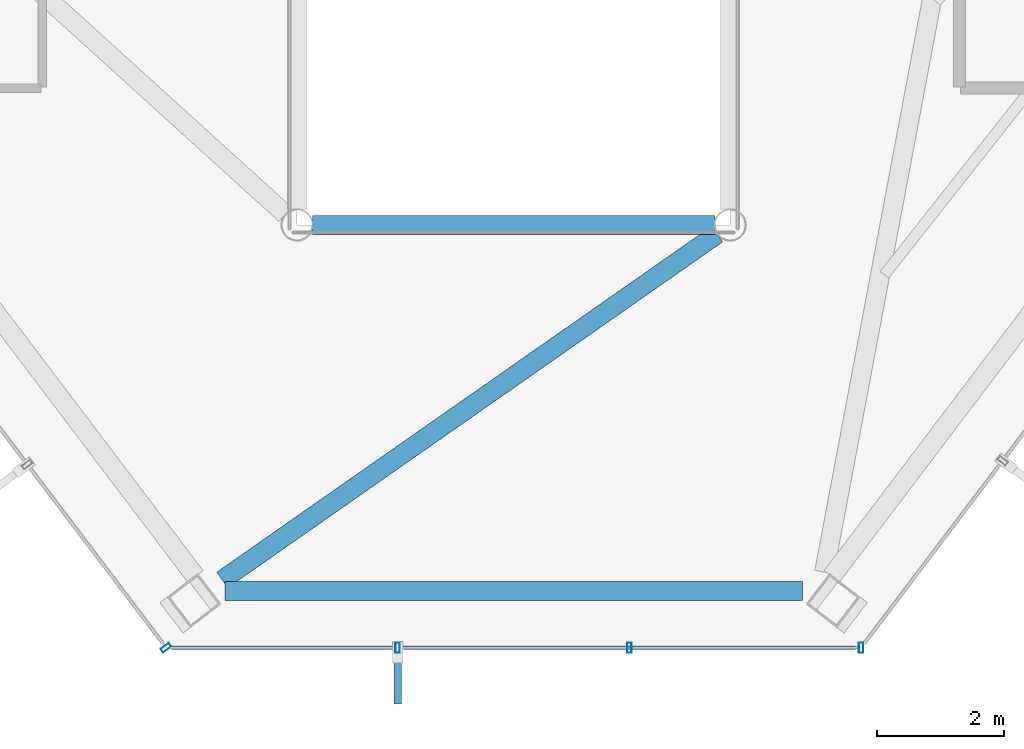
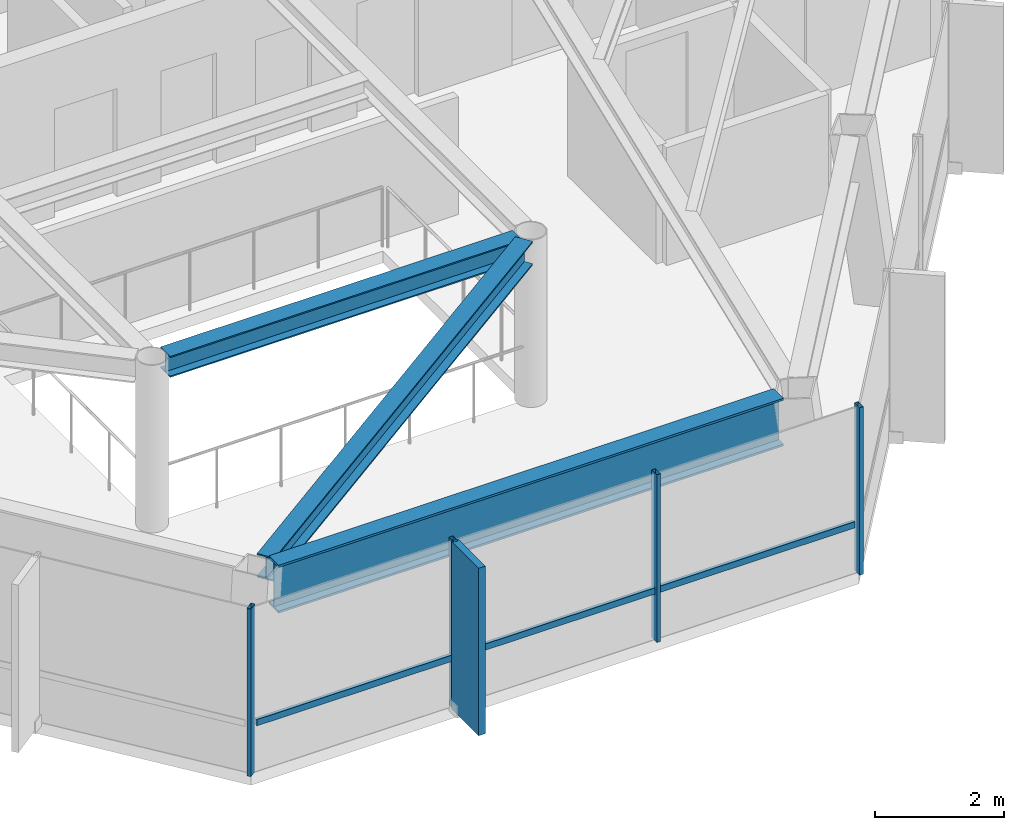
# One storey, part 5 of 25: 6 members, 3 beams, 2 elements without a shape of their own.
"""IFC4 building model written with IfcOpenShell, lengths in metres."""

from ifc_helpers import new_model, si_unit, direction, frame, origin, origin_2d, place, context, subcontext, project, spatial, rectangle, hollow_rectangle, i_section, extrude, material, layer, layer_set, material_profile, profile_set, type_object, element, aggregate, save


model = new_model("IFC4")

# Units and contexts
model_context = context("Model", 3, precision=1e-05, world=origin(), true_north=direction((0.0, 1.0)))
body_context = subcontext(model_context, "Body", "Model", "MODEL_VIEW")
ifc_project = project(units=[si_unit("LENGTHUNIT", "METRE"), si_unit("AREAUNIT", "SQUARE_METRE"), si_unit("VOLUMEUNIT", "CUBIC_METRE"), si_unit("PLANEANGLEUNIT", "RADIAN"), si_unit("MASSUNIT", "GRAM", prefix="KILO")], contexts=[model_context])

# Site, building, storey
site_placement = place(None, origin())
site = spatial("IfcSite", under=ifc_project, at=site_placement, CompositionType="ELEMENT")
building_placement = place(site_placement, origin())
building = spatial("IfcBuilding", under=site, at=building_placement, Name="Zarrinselat Tower", CompositionType="ELEMENT")
storey_placement = place(building_placement, frame((0.0, 0.0, 246.159912109375)))
storey = spatial("IfcBuildingStorey", under=building, at=storey_placement, Name="L62", CompositionType="ELEMENT", Elevation=246.159912109375)

# Beams
ifc_material_1 = material(Name="Steel S355J2", Category="steel")
ifc_material_profile_1 = material_profile(ifc_material_1, i_section(OverallWidth=0.300048828125, OverallDepth=0.39990234375, WebThickness=0.013427734375, FlangeThickness=0.02392578125, at=origin_2d()), Name="HEB 400")
ifc_profile_set_1 = profile_set([ifc_material_profile_1], Name="Steel S355J2")
beam_type_1 = type_object("IfcBeamType", Name="BM-HEB400", PredefinedType="BEAM", material=ifc_profile_set_1)
beam_1_placement = place(storey_placement, frame((35.239990234375, 25.199951171875, 2.97998046875), z_axis=(1.0, 0.0, 0.0), x_axis=(0.0, 1.0, 0.0)))
element("IfcBeam", 1, at=beam_1_placement, inside=storey, type_object=beam_type_1, Name="L62 Atrium Edge Beam S", PredefinedType="BEAM", context=body_context, shape_type="SweptSolid", body=[
    extrude(i_section(OverallWidth=0.300048828125, OverallDepth=0.39990234375, WebThickness=0.013427734375, FlangeThickness=0.02392578125, at=origin_2d()), origin(), (0.0, 0.0, 1.0), 6.320068359375),
])
ifc_material_2 = material(Name="Steel S355J2", Category="steel")
ifc_material_profile_2 = material_profile(ifc_material_2, i_section(OverallWidth=0.300048828125, OverallDepth=0.449951171875, WebThickness=0.013916015625, FlangeThickness=0.02587890625, at=origin_2d()), Name="HEB 450")
ifc_profile_set_2 = profile_set([ifc_material_profile_2], Name="Steel S355J2")
beam_type_2 = type_object("IfcBeamType", Name="BM-HEB450", PredefinedType="BEAM", material=ifc_profile_set_2)
beam_2_placement = place(storey_placement, frame((33.825439453125, 19.62548828125, 2.955078125), z_axis=(0.819600767211, 0.572935059486, 0.0), x_axis=(-0.572935059486, 0.819600767211, 0.0)))
element("IfcBeam", 2, at=beam_2_placement, inside=storey, type_object=beam_type_2, Name="L62 Radial Primary Girder RG10", PredefinedType="BEAM", context=body_context, shape_type="SweptSolid", body=[
    extrude(i_section(OverallWidth=0.300048828125, OverallDepth=0.449951171875, WebThickness=0.013916015625, FlangeThickness=0.02587890625, at=origin_2d()), origin(), (0.0, 0.0, 1.0), 9.47998046875),
])
ifc_material_3 = material(Name="Steel S460M", Category="steel")
ifc_material_profile_3 = material_profile(ifc_material_3, i_section(OverallWidth=0.302001953125, OverallDepth=0.909912109375, WebThickness=0.02099609375, FlangeThickness=0.0400390625, at=origin_2d()), Name="HEM 900")
ifc_profile_set_3 = profile_set([ifc_material_profile_3], Name="Steel S460M")
beam_type_3 = type_object("IfcBeamType", Name="BM-HEM900", PredefinedType="BEAM", material=ifc_profile_set_3)
beam_3_placement = place(storey_placement, frame((33.865966796875, 19.452392578125, 2.72509765625), z_axis=(1.0, 0.0, 0.0), x_axis=(0.0, 1.0, 0.0)))
element("IfcBeam", 3, at=beam_3_placement, inside=storey, type_object=beam_type_3, Name="L62 Perimeter Spandrel Girder SP10", PredefinedType="BEAM", context=body_context, shape_type="SweptSolid", body=[
    extrude(i_section(OverallWidth=0.302001953125, OverallDepth=0.909912109375, WebThickness=0.02099609375, FlangeThickness=0.0400390625, at=origin_2d()), origin(), (0.0, 0.0, 1.0), 9.068115234375),
])

# Curtain wall, member
ifc_material_4 = material(Name="Extruded Aluminium Alloy EN AW-6063 T6", Category="aluminium")
ifc_layer = layer(ifc_material_4, 0.169921875)
ifc_layer_set = layer_set([ifc_layer], Name="Extruded Aluminium Alloy EN AW-6063 T6")
curtain_wall_type = type_object("IfcCurtainWallType", Name="CWS-RES", PredefinedType="NOTDEFINED", material=ifc_layer_set)
curtain_wall_1_placement = place(storey_placement, origin())
curtain_wall_1 = element("IfcCurtainWall", 4, at=curtain_wall_1_placement, inside=storey, type_object=curtain_wall_type, Name="L62 Unitised Curtain Wall CW-L62-E03", PredefinedType="NOTDEFINED")
ifc_material_5 = material(Name="Extruded Aluminium Alloy EN AW-6063 T6", Category="aluminium")
ifc_material_profile_4 = material_profile(ifc_material_5, hollow_rectangle(XDim=0.070068359375, YDim=0.159912109375, WallThickness=0.00390625, at=origin_2d()), Name="RHS 160x70x4")
ifc_profile_set_4 = profile_set([ifc_material_profile_4], Name="Extruded Aluminium Alloy EN AW-6063 T6")
member_type_1 = type_object("IfcMemberType", Name="MEM-CW-MUL2", PredefinedType="MULLION", material=ifc_profile_set_4)
member_1_placement = place(storey_placement, frame((32.94189453125, 18.562744140625, 0.0), z_axis=(0.0, 0.0, 1.0), x_axis=(0.603857888062, -0.797091996588, 0.0)))
member_1 = element("IfcMember", 5, at=member_1_placement, type_object=member_type_1, Name="CW-L62-E03 Mullion 8", PredefinedType="MULLION", context=body_context, shape_type="SweptSolid", body=[
    extrude(hollow_rectangle(XDim=0.070068359375, YDim=0.159912109375, WallThickness=0.00390625, at=origin_2d()), origin(), (0.0, 0.0, 1.0), 3.18017578125),
])
aggregate(curtain_wall_1, [member_1])

# Curtain wall, members
curtain_wall_2_placement = place(storey_placement, origin())
curtain_wall_2 = element("IfcCurtainWall", 6, at=curtain_wall_2_placement, inside=storey, type_object=curtain_wall_type, Name="L62 Unitised Curtain Wall CW-L62-E04", PredefinedType="NOTDEFINED")
member_2_placement = place(storey_placement, frame((36.58056640625, 18.562744140625, 0.0), z_axis=(0.0, 0.0, 1.0), x_axis=(1.0, 0.0, 0.0)))
member_2 = element("IfcMember", 7, at=member_2_placement, type_object=member_type_1, Name="CW-L62-E04 Mullion 1", PredefinedType="MULLION", context=body_context, shape_type="SweptSolid", body=[
    extrude(hollow_rectangle(XDim=0.070068359375, YDim=0.159912109375, WallThickness=0.00390625, at=origin_2d()), origin(), (0.0, 0.0, 1.0), 3.18017578125),
])
member_3_placement = place(storey_placement, frame((40.219482421875, 18.562744140625, 0.0), z_axis=(0.0, 0.0, 1.0), x_axis=(1.0, 0.0, 0.0)))
member_3 = element("IfcMember", 8, at=member_3_placement, type_object=member_type_1, Name="CW-L62-E04 Mullion 2", PredefinedType="MULLION", context=body_context, shape_type="SweptSolid", body=[
    extrude(hollow_rectangle(XDim=0.070068359375, YDim=0.159912109375, WallThickness=0.00390625, at=origin_2d()), origin(), (0.0, 0.0, 1.0), 3.18017578125),
])
member_4_placement = place(storey_placement, frame((43.858154296875, 18.562744140625, 0.0), z_axis=(0.0, 0.0, 1.0), x_axis=(1.0, 0.0, 0.0)))
member_4 = element("IfcMember", 9, at=member_4_placement, type_object=member_type_1, Name="CW-L62-E04 Mullion 3", PredefinedType="MULLION", context=body_context, shape_type="SweptSolid", body=[
    extrude(hollow_rectangle(XDim=0.070068359375, YDim=0.159912109375, WallThickness=0.00390625, at=origin_2d()), origin(), (0.0, 0.0, 1.0), 3.18017578125),
])
ifc_material_6 = material(Name="Extruded Aluminium Alloy EN AW-6063 T6", Category="aluminium")
ifc_material_profile_5 = material_profile(ifc_material_6, hollow_rectangle(XDim=0.06005859375, YDim=0.1201171875, WallThickness=0.00390625, at=origin_2d()), Name="RHS 120x60x4")
ifc_profile_set_5 = profile_set([ifc_material_profile_5], Name="Extruded Aluminium Alloy EN AW-6063 T6")
member_type_2 = type_object("IfcMemberType", Name="MEM-CW-TRN2", PredefinedType="USERDEFINED", material=ifc_profile_set_5)
member_5_placement = place(storey_placement, frame((33.03173828125, 18.562744140625, 0.9501953125), z_axis=(1.0, 0.0, 0.0), x_axis=(0.0, 1.0, 0.0)))
member_5 = element("IfcMember", 10, at=member_5_placement, type_object=member_type_2, Name="CW-L62-E04 Transom 1", ObjectType="TRANSOM", PredefinedType="USERDEFINED", context=body_context, shape_type="SweptSolid", body=[
    extrude(hollow_rectangle(XDim=0.06005859375, YDim=0.1201171875, WallThickness=0.00390625, at=origin_2d()), origin(), (0.0, 0.0, 1.0), 10.736572265625),
])
ifc_material_7 = material(Name="Honed Cream Travertine Stone", Category="masonry")
ifc_material_profile_6 = material_profile(ifc_material_7, rectangle(XDim=0.1201171875, YDim=0.85009765625, at=origin_2d()), Name="FIN 850x120")
ifc_profile_set_6 = profile_set([ifc_material_profile_6], Name="Honed Cream Travertine Stone")
member_type_3 = type_object("IfcMemberType", Name="MEM-STONE-FIN", PredefinedType="USERDEFINED", material=ifc_profile_set_6)
member_6_placement = place(storey_placement, frame((36.58056640625, 18.102783203125, 0.0), z_axis=(0.0, 0.0, 1.0), x_axis=(-1.0, 0.0, 0.0)))
member_6 = element("IfcMember", 11, at=member_6_placement, type_object=member_type_3, Name="L62 Stone Shading Fin CW-L62-E04-01", ObjectType="FIN", PredefinedType="USERDEFINED", context=body_context, shape_type="SweptSolid", body=[
    extrude(rectangle(XDim=0.1201171875, YDim=0.85009765625, at=origin_2d()), origin(), (0.0, 0.0, 1.0), 3.18017578125),
])
aggregate(curtain_wall_2, [member_2, member_6, member_3, member_4, member_5])

save(model, "model.ifc")
